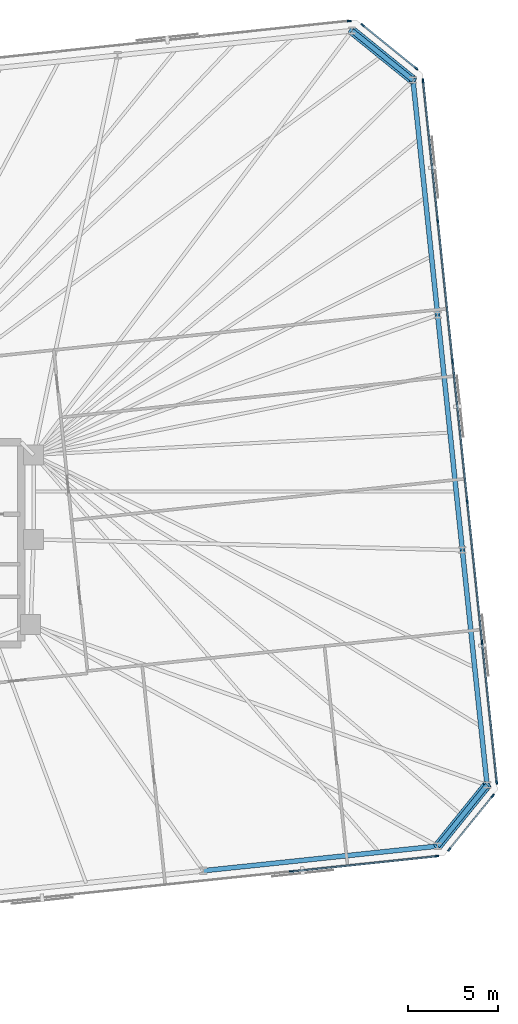
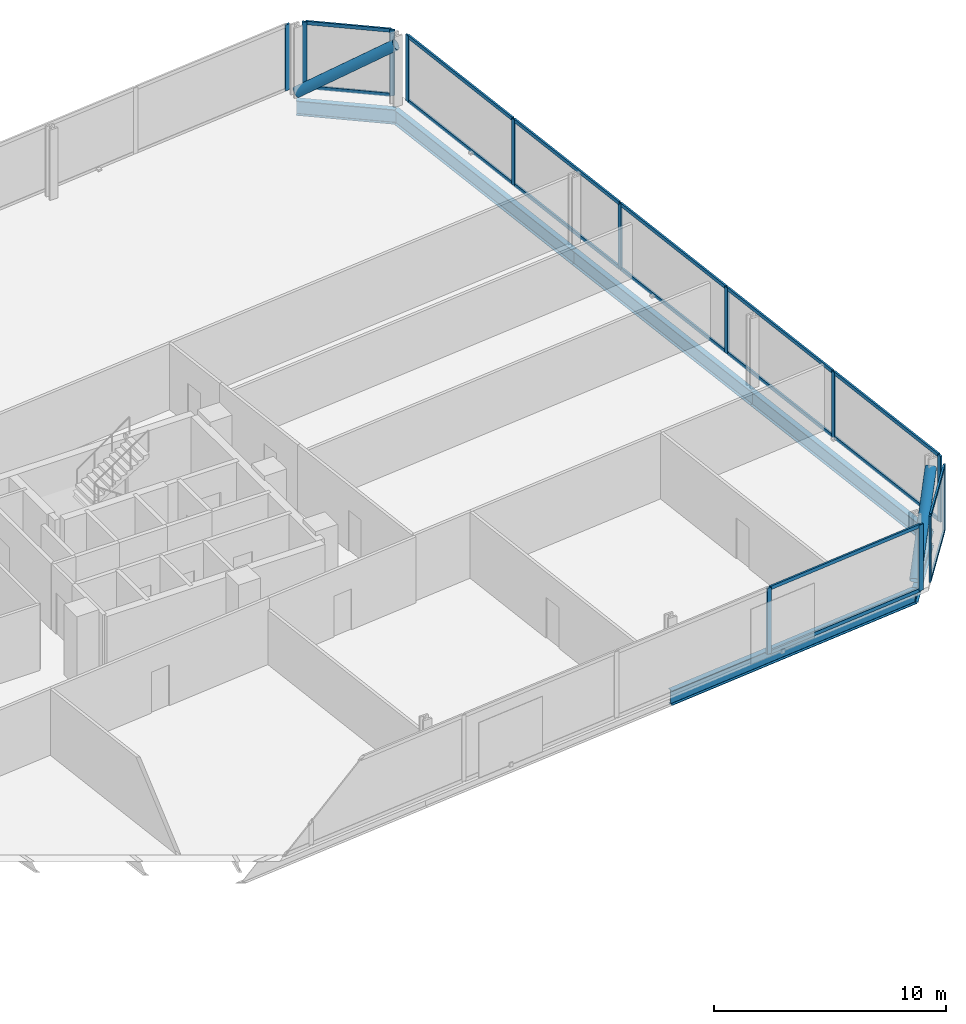
# One storey, part 12 of 18: 31 members, 6 beams, 5 elements without a shape of their own.
"""IFC4 building model written with IfcOpenShell, lengths in metres."""

from ifc_helpers import new_model, si_unit, direction, frame, origin, origin_2d, place, context, subcontext, project, spatial, rectangle, hollow_circle, i_section, extrude, material, material_profile, profile_set, type_object, element, aggregate, save


model = new_model("IFC4")

# Units and contexts
model_context = context("Model", 3, precision=1e-05, world=origin(), true_north=direction((0.0, 1.0)))
body_context = subcontext(model_context, "Body", "Model", "MODEL_VIEW")
ifc_project = project(units=[si_unit("LENGTHUNIT", "METRE"), si_unit("AREAUNIT", "SQUARE_METRE"), si_unit("VOLUMEUNIT", "CUBIC_METRE"), si_unit("PLANEANGLEUNIT", "RADIAN"), si_unit("MASSUNIT", "GRAM", prefix="KILO")], contexts=[model_context])

# Site, building, storey
site_placement = place(None, origin())
site = spatial("IfcSite", under=ifc_project, at=site_placement, CompositionType="ELEMENT")
building_placement = place(site_placement, origin())
building = spatial("IfcBuilding", under=site, at=building_placement, Name="Menara Jurai Vektor", CompositionType="ELEMENT")
storey_placement = place(building_placement, frame((0.0, 0.0, 124.39990234375)))
storey = spatial("IfcBuildingStorey", under=building, at=storey_placement, Name="L31", CompositionType="ELEMENT", Elevation=124.39990234375)

# Curtain wall, members
ifc_material_1 = material(Name="Anodised Pale Aluminium & Low-E Double Glazing", Category="aluminium")
curtain_wall_type = type_object("IfcCurtainWallType", Name="CW-BLK2", PredefinedType="NOTDEFINED", material=ifc_material_1)
curtain_wall_1_placement = place(storey_placement, origin())
curtain_wall_1 = element("IfcCurtainWall", 1, at=curtain_wall_1_placement, inside=storey, type_object=curtain_wall_type, Name="Unitised Curtain Wall L31 F01", PredefinedType="NOTDEFINED")
ifc_material_2 = material(Name="Anodised Pale Aluminium Mullion", Category="aluminium")
ifc_material_profile_1 = material_profile(ifc_material_2, rectangle(XDim=0.090087890625, YDim=0.219970703125, at=origin_2d()), Name="ALU MUL 90x220")
ifc_profile_set_1 = profile_set([ifc_material_profile_1], Name="Anodised Pale Aluminium Mullion")
member_type_1 = type_object("IfcMemberType", Name="CW-BLK2-MUL", PredefinedType="MULLION", material=ifc_profile_set_1)
member_1_placement = place(storey_placement, frame((29.52392578125, -18.169189453125, 0.0), z_axis=(0.0, 0.0, 1.0), x_axis=(-0.104528634935, 0.994521877325, 0.0)))
member_1 = element("IfcMember", 2, at=member_1_placement, type_object=member_type_1, Name="CW-02 mullion 8", PredefinedType="MULLION", context=body_context, shape_type="SweptSolid", body=[
    extrude(rectangle(XDim=0.090087890625, YDim=0.219970703125, at=origin_2d()), origin(), (0.0, 0.0, 1.0), 3.47509765625),
])
member_2_placement = place(storey_placement, frame((37.5771484375, -17.32275390625, 0.0), z_axis=(0.0, 0.0, 1.0), x_axis=(-0.104528634935, 0.994521877325, 0.0)))
member_2 = element("IfcMember", 3, at=member_2_placement, type_object=member_type_1, Name="CW-02 mullion 9", PredefinedType="MULLION", context=body_context, shape_type="SweptSolid", body=[
    extrude(rectangle(XDim=0.090087890625, YDim=0.219970703125, at=origin_2d()), origin(), (0.0, 0.0, 1.0), 3.47509765625),
])

curtain_wall_2_placement = place(storey_placement, origin())
curtain_wall_2 = element("IfcCurtainWall", 4, at=curtain_wall_2_placement, inside=storey, type_object=curtain_wall_type, Name="Unitised Curtain Wall L31 F02", PredefinedType="NOTDEFINED")
member_3_placement = place(storey_placement, frame((38.267333984375, -16.9482421875, 0.0), z_axis=(0.0, 0.0, 1.0), x_axis=(-0.777129222223, 0.62934106172, 0.0)))
member_3 = element("IfcMember", 5, at=member_3_placement, type_object=member_type_1, Name="CW-02 mullion 1", PredefinedType="MULLION", context=body_context, shape_type="SweptSolid", body=[
    extrude(rectangle(XDim=0.090087890625, YDim=0.219970703125, at=origin_2d()), origin(), (0.0, 0.0, 1.0), 3.47509765625),
])
member_4_placement = place(storey_placement, frame((40.66943359375, -13.98193359375, 0.0), z_axis=(0.0, 0.0, 1.0), x_axis=(-0.777129222223, 0.62934106172, 0.0)))
member_4 = element("IfcMember", 6, at=member_4_placement, type_object=member_type_1, Name="CW-02 mullion 2", PredefinedType="MULLION", context=body_context, shape_type="SweptSolid", body=[
    extrude(rectangle(XDim=0.090087890625, YDim=0.219970703125, at=origin_2d()), origin(), (0.0, 0.0, 1.0), 3.47509765625),
])

curtain_wall_3_placement = place(storey_placement, origin())
curtain_wall_3 = element("IfcCurtainWall", 7, at=curtain_wall_3_placement, inside=storey, type_object=curtain_wall_type, Name="Unitised Curtain Wall L31 F03", PredefinedType="NOTDEFINED")
member_5_placement = place(storey_placement, frame((40.892333984375, -13.22900390625, 0.0), z_axis=(0.0, 0.0, 1.0), x_axis=(-0.99452177832, -0.104529576902, 0.0)))
member_5 = element("IfcMember", 8, at=member_5_placement, type_object=member_type_1, Name="CW-02 mullion 1", PredefinedType="MULLION", context=body_context, shape_type="SweptSolid", body=[
    extrude(rectangle(XDim=0.090087890625, YDim=0.219970703125, at=origin_2d()), origin(), (0.0, 0.0, 1.0), 3.47509765625),
])
member_6_placement = place(storey_placement, frame((40.078857421875, -5.488525390625, 0.0), z_axis=(0.0, 0.0, 1.0), x_axis=(-0.99452177832, -0.104529576902, 0.0)))
member_6 = element("IfcMember", 9, at=member_6_placement, type_object=member_type_1, Name="CW-02 mullion 2", PredefinedType="MULLION", context=body_context, shape_type="SweptSolid", body=[
    extrude(rectangle(XDim=0.090087890625, YDim=0.219970703125, at=origin_2d()), origin(), (0.0, 0.0, 1.0), 3.47509765625),
])
member_7_placement = place(storey_placement, frame((39.260498046875, 2.296630859375, 0.0), z_axis=(0.0, 0.0, 1.0), x_axis=(-0.99452177832, -0.104529576902, 0.0)))
member_7 = element("IfcMember", 10, at=member_7_placement, type_object=member_type_1, Name="CW-02 mullion 3", PredefinedType="MULLION", context=body_context, shape_type="SweptSolid", body=[
    extrude(rectangle(XDim=0.090087890625, YDim=0.219970703125, at=origin_2d()), origin(), (0.0, 0.0, 1.0), 3.47509765625),
])
member_8_placement = place(storey_placement, frame((38.4423828125, 10.081787109375, 0.0), z_axis=(0.0, 0.0, 1.0), x_axis=(-0.99452177832, -0.104529576902, 0.0)))
member_8 = element("IfcMember", 11, at=member_8_placement, type_object=member_type_1, Name="CW-02 mullion 4", PredefinedType="MULLION", context=body_context, shape_type="SweptSolid", body=[
    extrude(rectangle(XDim=0.090087890625, YDim=0.219970703125, at=origin_2d()), origin(), (0.0, 0.0, 1.0), 3.47509765625),
])
member_9_placement = place(storey_placement, frame((37.6240234375, 17.866943359375, 0.0), z_axis=(0.0, 0.0, 1.0), x_axis=(-0.99452177832, -0.104529576902, 0.0)))
member_9 = element("IfcMember", 12, at=member_9_placement, type_object=member_type_1, Name="CW-02 mullion 5", PredefinedType="MULLION", context=body_context, shape_type="SweptSolid", body=[
    extrude(rectangle(XDim=0.090087890625, YDim=0.219970703125, at=origin_2d()), origin(), (0.0, 0.0, 1.0), 3.47509765625),
])
member_10_placement = place(storey_placement, frame((36.810546875, 25.607177734375, 0.0), z_axis=(0.0, 0.0, 1.0), x_axis=(-0.99452177832, -0.104529576902, 0.0)))
member_10 = element("IfcMember", 13, at=member_10_placement, type_object=member_type_1, Name="CW-02 mullion 6", PredefinedType="MULLION", context=body_context, shape_type="SweptSolid", body=[
    extrude(rectangle(XDim=0.090087890625, YDim=0.219970703125, at=origin_2d()), origin(), (0.0, 0.0, 1.0), 3.47509765625),
])

curtain_wall_4_placement = place(storey_placement, origin())
curtain_wall_4 = element("IfcCurtainWall", 14, at=curtain_wall_4_placement, inside=storey, type_object=curtain_wall_type, Name="Unitised Curtain Wall L31 F04", PredefinedType="NOTDEFINED")
member_11_placement = place(storey_placement, frame((36.435791015625, 26.29736328125, 0.0), z_axis=(0.0, 0.0, 1.0), x_axis=(-0.629313085353, -0.777151877437, 0.0)))
member_11 = element("IfcMember", 15, at=member_11_placement, type_object=member_type_1, Name="CW-02 mullion 1", PredefinedType="MULLION", context=body_context, shape_type="SweptSolid", body=[
    extrude(rectangle(XDim=0.090087890625, YDim=0.219970703125, at=origin_2d()), origin(), (0.0, 0.0, 1.0), 3.47509765625),
])
member_12_placement = place(storey_placement, frame((33.469482421875, 28.699462890625, 0.0), z_axis=(0.0, 0.0, 1.0), x_axis=(-0.629313085353, -0.777151877437, 0.0)))
member_12 = element("IfcMember", 16, at=member_12_placement, type_object=member_type_1, Name="CW-02 mullion 2", PredefinedType="MULLION", context=body_context, shape_type="SweptSolid", body=[
    extrude(rectangle(XDim=0.090087890625, YDim=0.219970703125, at=origin_2d()), origin(), (0.0, 0.0, 1.0), 3.47509765625),
])

# Curtain wall, member
curtain_wall_5_placement = place(storey_placement, origin())
curtain_wall_5 = element("IfcCurtainWall", 17, at=curtain_wall_5_placement, inside=storey, type_object=curtain_wall_type, Name="Unitised Curtain Wall L31 F05", PredefinedType="NOTDEFINED")
member_13_placement = place(storey_placement, frame((32.716552734375, 28.92236328125, 0.0), z_axis=(0.0, 0.0, 1.0), x_axis=(0.104528634935, -0.994521877325, 0.0)))
member_13 = element("IfcMember", 18, at=member_13_placement, type_object=member_type_1, Name="CW-02 mullion 1", PredefinedType="MULLION", context=body_context, shape_type="SweptSolid", body=[
    extrude(rectangle(XDim=0.090087890625, YDim=0.219970703125, at=origin_2d()), origin(), (0.0, 0.0, 1.0), 3.47509765625),
])
aggregate(curtain_wall_5, [member_13])

# Member
ifc_material_3 = material(Name="Anodised Pale Aluminium Transom", Category="aluminium")
ifc_material_profile_2 = material_profile(ifc_material_3, rectangle(XDim=0.090087890625, YDim=0.18505859375, at=origin_2d()), Name="ALU TRN 90x185")
ifc_profile_set_2 = profile_set([ifc_material_profile_2], Name="Anodised Pale Aluminium Transom")
member_type_2 = type_object("IfcMemberType", Name="CW-BLK2-TRN", PredefinedType="USERDEFINED", material=ifc_profile_set_2)
member_14_placement = place(storey_placement, frame((29.56884765625, -18.16455078125, 0.045166015625), z_axis=(0.994519977808, 0.104546706027, 0.0), x_axis=(-0.104546706027, 0.994519977808, 0.0)))
member_14 = element("IfcMember", 19, at=member_14_placement, type_object=member_type_2, Name="CW-02 transom 8.1", ObjectType="TRANSOM", PredefinedType="USERDEFINED", context=body_context, shape_type="SweptSolid", body=[
    extrude(rectangle(XDim=0.090087890625, YDim=0.18505859375, at=origin_2d()), origin(), (0.0, 0.0, 1.0), 8.007568359375),
])

member_15_placement = place(storey_placement, frame((29.56884765625, -18.16455078125, 3.43017578125), z_axis=(0.994519977808, 0.104546706027, 0.0), x_axis=(-0.104546706027, 0.994519977808, 0.0)))
member_15 = element("IfcMember", 20, at=member_15_placement, type_object=member_type_2, Name="CW-02 transom 8.2", ObjectType="TRANSOM", PredefinedType="USERDEFINED", context=body_context, shape_type="SweptSolid", body=[
    extrude(rectangle(XDim=0.090087890625, YDim=0.18505859375, at=origin_2d()), origin(), (0.0, 0.0, 1.0), 8.007568359375),
])

aggregate(curtain_wall_1, [member_1, member_2, member_14, member_15])

member_16_placement = place(storey_placement, frame((38.295654296875, -16.9130859375, 0.045166015625), z_axis=(0.6293414396, 0.777128916205, 0.0), x_axis=(-0.777128916205, 0.6293414396, 0.0)))
member_16 = element("IfcMember", 21, at=member_16_placement, type_object=member_type_2, Name="CW-02 transom 1.1", ObjectType="TRANSOM", PredefinedType="USERDEFINED", context=body_context, shape_type="SweptSolid", body=[
    extrude(rectangle(XDim=0.090087890625, YDim=0.18505859375, at=origin_2d()), origin(), (0.0, 0.0, 1.0), 3.726806640625),
])

member_17_placement = place(storey_placement, frame((38.295654296875, -16.9130859375, 3.43017578125), z_axis=(0.6293414396, 0.777128916205, 0.0), x_axis=(-0.777128916205, 0.6293414396, 0.0)))
member_17 = element("IfcMember", 22, at=member_17_placement, type_object=member_type_2, Name="CW-02 transom 1.2", ObjectType="TRANSOM", PredefinedType="USERDEFINED", context=body_context, shape_type="SweptSolid", body=[
    extrude(rectangle(XDim=0.090087890625, YDim=0.18505859375, at=origin_2d()), origin(), (0.0, 0.0, 1.0), 3.726806640625),
])

aggregate(curtain_wall_2, [member_3, member_4, member_16, member_17])

member_18_placement = place(storey_placement, frame((40.8876953125, -13.18408203125, 0.045166015625), z_axis=(-0.104536105602, 0.994521092097, 0.0), x_axis=(-0.994521092097, -0.104536105602, 0.0)))
member_18 = element("IfcMember", 23, at=member_18_placement, type_object=member_type_2, Name="CW-02 transom 1.1", ObjectType="TRANSOM", PredefinedType="USERDEFINED", context=body_context, shape_type="SweptSolid", body=[
    extrude(rectangle(XDim=0.090087890625, YDim=0.18505859375, at=origin_2d()), origin(), (0.0, 0.0, 1.0), 7.693115234375),
])

member_19_placement = place(storey_placement, frame((40.8876953125, -13.18408203125, 3.43017578125), z_axis=(-0.104536105602, 0.994521092097, 0.0), x_axis=(-0.994521092097, -0.104536105602, 0.0)))
member_19 = element("IfcMember", 24, at=member_19_placement, type_object=member_type_2, Name="CW-02 transom 1.2", ObjectType="TRANSOM", PredefinedType="USERDEFINED", context=body_context, shape_type="SweptSolid", body=[
    extrude(rectangle(XDim=0.090087890625, YDim=0.18505859375, at=origin_2d()), origin(), (0.0, 0.0, 1.0), 7.693115234375),
])

member_20_placement = place(storey_placement, frame((40.07421875, -5.44384765625, 0.045166015625), z_axis=(-0.104528756613, 0.994521864536, 0.0), x_axis=(-0.994521864536, -0.104528756613, 0.0)))
member_20 = element("IfcMember", 25, at=member_20_placement, type_object=member_type_2, Name="CW-02 transom 2.1", ObjectType="TRANSOM", PredefinedType="USERDEFINED", context=body_context, shape_type="SweptSolid", body=[
    extrude(rectangle(XDim=0.090087890625, YDim=0.18505859375, at=origin_2d()), origin(), (0.0, 0.0, 1.0), 7.738037109375),
])

member_21_placement = place(storey_placement, frame((40.07421875, -5.44384765625, 3.43017578125), z_axis=(-0.104528756613, 0.994521864536, 0.0), x_axis=(-0.994521864536, -0.104528756613, 0.0)))
member_21 = element("IfcMember", 26, at=member_21_placement, type_object=member_type_2, Name="CW-02 transom 2.2", ObjectType="TRANSOM", PredefinedType="USERDEFINED", context=body_context, shape_type="SweptSolid", body=[
    extrude(rectangle(XDim=0.090087890625, YDim=0.18505859375, at=origin_2d()), origin(), (0.0, 0.0, 1.0), 7.738037109375),
])

member_22_placement = place(storey_placement, frame((39.255859375, 2.34130859375, 0.045166015625), z_axis=(-0.104528756613, 0.994521864536, 0.0), x_axis=(-0.994521864536, -0.104528756613, 0.0)))
member_22 = element("IfcMember", 27, at=member_22_placement, type_object=member_type_2, Name="CW-02 transom 3.1", ObjectType="TRANSOM", PredefinedType="USERDEFINED", context=body_context, shape_type="SweptSolid", body=[
    extrude(rectangle(XDim=0.090087890625, YDim=0.18505859375, at=origin_2d()), origin(), (0.0, 0.0, 1.0), 7.738037109375),
])

member_23_placement = place(storey_placement, frame((39.255859375, 2.34130859375, 3.43017578125), z_axis=(-0.104528756613, 0.994521864536, 0.0), x_axis=(-0.994521864536, -0.104528756613, 0.0)))
member_23 = element("IfcMember", 28, at=member_23_placement, type_object=member_type_2, Name="CW-02 transom 3.2", ObjectType="TRANSOM", PredefinedType="USERDEFINED", context=body_context, shape_type="SweptSolid", body=[
    extrude(rectangle(XDim=0.090087890625, YDim=0.18505859375, at=origin_2d()), origin(), (0.0, 0.0, 1.0), 7.738037109375),
])

member_24_placement = place(storey_placement, frame((38.4375, 10.12646484375, 0.045166015625), z_axis=(-0.104528756613, 0.994521864536, 0.0), x_axis=(-0.994521864536, -0.104528756613, 0.0)))
member_24 = element("IfcMember", 29, at=member_24_placement, type_object=member_type_2, Name="CW-02 transom 4.1", ObjectType="TRANSOM", PredefinedType="USERDEFINED", context=body_context, shape_type="SweptSolid", body=[
    extrude(rectangle(XDim=0.090087890625, YDim=0.18505859375, at=origin_2d()), origin(), (0.0, 0.0, 1.0), 7.738037109375),
])

member_25_placement = place(storey_placement, frame((38.4375, 10.12646484375, 3.43017578125), z_axis=(-0.104528756613, 0.994521864536, 0.0), x_axis=(-0.994521864536, -0.104528756613, 0.0)))
member_25 = element("IfcMember", 30, at=member_25_placement, type_object=member_type_2, Name="CW-02 transom 4.2", ObjectType="TRANSOM", PredefinedType="USERDEFINED", context=body_context, shape_type="SweptSolid", body=[
    extrude(rectangle(XDim=0.090087890625, YDim=0.18505859375, at=origin_2d()), origin(), (0.0, 0.0, 1.0), 7.738037109375),
])

member_26_placement = place(storey_placement, frame((37.619384765625, 17.91162109375, 0.045166015625), z_axis=(-0.104536105602, 0.994521092097, 0.0), x_axis=(-0.994521092097, -0.104536105602, 0.0)))
member_26 = element("IfcMember", 31, at=member_26_placement, type_object=member_type_2, Name="CW-02 transom 5.1", ObjectType="TRANSOM", PredefinedType="USERDEFINED", context=body_context, shape_type="SweptSolid", body=[
    extrude(rectangle(XDim=0.090087890625, YDim=0.18505859375, at=origin_2d()), origin(), (0.0, 0.0, 1.0), 7.693115234375),
])

member_27_placement = place(storey_placement, frame((37.619384765625, 17.91162109375, 3.43017578125), z_axis=(-0.104536105602, 0.994521092097, 0.0), x_axis=(-0.994521092097, -0.104536105602, 0.0)))
member_27 = element("IfcMember", 32, at=member_27_placement, type_object=member_type_2, Name="CW-02 transom 5.2", ObjectType="TRANSOM", PredefinedType="USERDEFINED", context=body_context, shape_type="SweptSolid", body=[
    extrude(rectangle(XDim=0.090087890625, YDim=0.18505859375, at=origin_2d()), origin(), (0.0, 0.0, 1.0), 7.693115234375),
])

aggregate(curtain_wall_3, [member_5, member_6, member_7, member_8, member_9, member_10, member_18, member_19, member_20, member_21, member_22, member_23, member_24, member_25, member_26, member_27])

member_28_placement = place(storey_placement, frame((36.40087890625, 26.32568359375, 0.045166015625), z_axis=(-0.77715486027, 0.629309401772, 0.0), x_axis=(-0.629309401772, -0.77715486027, 0.0)))
member_28 = element("IfcMember", 33, at=member_28_placement, type_object=member_type_2, Name="CW-02 transom 1.1", ObjectType="TRANSOM", PredefinedType="USERDEFINED", context=body_context, shape_type="SweptSolid", body=[
    extrude(rectangle(XDim=0.090087890625, YDim=0.18505859375, at=origin_2d()), origin(), (0.0, 0.0, 1.0), 3.72705078125),
])

member_29_placement = place(storey_placement, frame((36.40087890625, 26.32568359375, 3.43017578125), z_axis=(-0.77715486027, 0.629309401772, 0.0), x_axis=(-0.629309401772, -0.77715486027, 0.0)))
member_29 = element("IfcMember", 34, at=member_29_placement, type_object=member_type_2, Name="CW-02 transom 1.2", ObjectType="TRANSOM", PredefinedType="USERDEFINED", context=body_context, shape_type="SweptSolid", body=[
    extrude(rectangle(XDim=0.090087890625, YDim=0.18505859375, at=origin_2d()), origin(), (0.0, 0.0, 1.0), 3.72705078125),
])

aggregate(curtain_wall_4, [member_11, member_12, member_28, member_29])

# Members
ifc_material_4 = material(Name="Steel S460", Category="steel")
ifc_material_profile_3 = material_profile(ifc_material_4, hollow_circle(Radius=0.25390625, WallThickness=0.02001953125, at=origin_2d()), Name="CHS 508x20")
ifc_profile_set_3 = profile_set([ifc_material_profile_3], Name="Steel S460")
member_type_3 = type_object("IfcMemberType", Name="STR-BR-508", PredefinedType="BRACE", material=ifc_profile_set_3)
for number, where, z_axis, x_axis, name in (
    (35, (37.621826171875, -16.76513671875, 0.150146484375), (0.51928532157, 0.641224642617, 0.564954611011), (-0.777127086072, 0.629343699494, 0.0), "Exoskeleton Corner Brace L31-1"),
    (36, (32.876220703125, 28.38623046875, 0.150146484375), (0.641224642617, -0.51928532157, 0.564954611011), (0.629343699494, 0.777127086072, 0.0), "Exoskeleton Corner Brace L31-2"),
):
    element("IfcMember", number, at=place(storey_placement, frame(where, z_axis=z_axis, x_axis=x_axis)), inside=storey, type_object=member_type_3, Name=name, PredefinedType="BRACE", context=body_context, shape_type="SweptSolid", body=[
        extrude(hollow_circle(Radius=0.25390625, WallThickness=0.02001953125, at=origin_2d()), origin(), (0.0, 0.0, 1.0), 5.265625),
    ])

# Beams
ifc_material_profile_4 = material_profile(ifc_material_4, i_section(OverallWidth=0.26806640625, OverallDepth=0.77001953125, WebThickness=0.01611328125, FlangeThickness=0.02490234375, FilletRadius=0.01708984375, at=origin_2d()), Name="UKB 762x267x197")
ifc_profile_set_4 = profile_set([ifc_material_profile_4], Name="Steel S460")
beam_type = type_object("IfcBeamType", Name="STR-SP-762", PredefinedType="SPANDREL", material=ifc_profile_set_4)
beam_1_placement = place(storey_placement, frame((24.64208984375, -18.12939453125, -0.60986328125), z_axis=(0.994521636083, 0.104530930169, 0.0), x_axis=(-0.104530930169, 0.994521636083, 0.0)))
element("IfcBeam", 37, at=beam_1_placement, inside=storey, type_object=beam_type, Name="Exoskeleton Spandrel Beam L31-05", PredefinedType="SPANDREL", context=body_context, shape_type="SweptSolid", body=[
    extrude(i_section(OverallWidth=0.26806640625, OverallDepth=0.77001953125, WebThickness=0.01611328125, FlangeThickness=0.02490234375, FilletRadius=0.01708984375, at=origin_2d()), origin(), (0.0, 0.0, 1.0), 13.05126953125),
])
beam_2_placement = place(storey_placement, frame((37.621826171875, -16.76513671875, -0.60986328125), z_axis=(0.629343699494, 0.777127086072, 0.0), x_axis=(-0.777127086072, 0.629343699494, 0.0)))
element("IfcBeam", 38, at=beam_2_placement, inside=storey, type_object=beam_type, Name="Exoskeleton Spandrel Beam L31-06", PredefinedType="SPANDREL", context=body_context, shape_type="SweptSolid", body=[
    extrude(i_section(OverallWidth=0.26806640625, OverallDepth=0.77001953125, WebThickness=0.01611328125, FlangeThickness=0.02490234375, FilletRadius=0.01708984375, at=origin_2d()), origin(), (0.0, 0.0, 1.0), 4.3447265625),
])
beam_3_placement = place(storey_placement, frame((40.356201171875, -13.388671875, -0.60986328125), z_axis=(-0.104538130097, 0.994520879296, 0.0), x_axis=(-0.994520879296, -0.104538130097, 0.0)))
element("IfcBeam", 39, at=beam_3_placement, inside=storey, type_object=beam_type, Name="Exoskeleton Spandrel Beam L31-07", PredefinedType="SPANDREL", context=body_context, shape_type="SweptSolid", body=[
    extrude(i_section(OverallWidth=0.26806640625, OverallDepth=0.77001953125, WebThickness=0.01611328125, FlangeThickness=0.02490234375, FilletRadius=0.01708984375, at=origin_2d()), origin(), (0.0, 0.0, 1.0), 13.08544921875),
])
beam_4_placement = place(storey_placement, frame((38.98828125, -0.375, -0.60986328125), z_axis=(-0.104521615846, 0.994522615037, 0.0), x_axis=(-0.994522615037, -0.104521615846, 0.0)))
element("IfcBeam", 40, at=beam_4_placement, inside=storey, type_object=beam_type, Name="Exoskeleton Spandrel Beam L31-08", PredefinedType="SPANDREL", context=body_context, shape_type="SweptSolid", body=[
    extrude(i_section(OverallWidth=0.26806640625, OverallDepth=0.77001953125, WebThickness=0.01611328125, FlangeThickness=0.02490234375, FilletRadius=0.01708984375, at=origin_2d()), origin(), (0.0, 0.0, 1.0), 13.085205078125),
])
beam_5_placement = place(storey_placement, frame((37.62060546875, 12.638427734375, -0.60986328125), z_axis=(-0.104538130097, 0.994520879296, 0.0), x_axis=(-0.994520879296, -0.104538130097, 0.0)))
element("IfcBeam", 41, at=beam_5_placement, inside=storey, type_object=beam_type, Name="Exoskeleton Spandrel Beam L31-09", PredefinedType="SPANDREL", context=body_context, shape_type="SweptSolid", body=[
    extrude(i_section(OverallWidth=0.26806640625, OverallDepth=0.77001953125, WebThickness=0.01611328125, FlangeThickness=0.02490234375, FilletRadius=0.01708984375, at=origin_2d()), origin(), (0.0, 0.0, 1.0), 13.08544921875),
])
beam_6_placement = place(storey_placement, frame((36.252685546875, 25.652099609375, -0.60986328125), z_axis=(-0.777154568396, 0.629309762217, 0.0), x_axis=(-0.629309762217, -0.777154568396, 0.0)))
element("IfcBeam", 42, at=beam_6_placement, inside=storey, type_object=beam_type, Name="Exoskeleton Spandrel Beam L31-10", PredefinedType="SPANDREL", context=body_context, shape_type="SweptSolid", body=[
    extrude(i_section(OverallWidth=0.26806640625, OverallDepth=0.77001953125, WebThickness=0.01611328125, FlangeThickness=0.02490234375, FilletRadius=0.01708984375, at=origin_2d()), origin(), (0.0, 0.0, 1.0), 4.3447265625),
])

save(model, "model.ifc")
